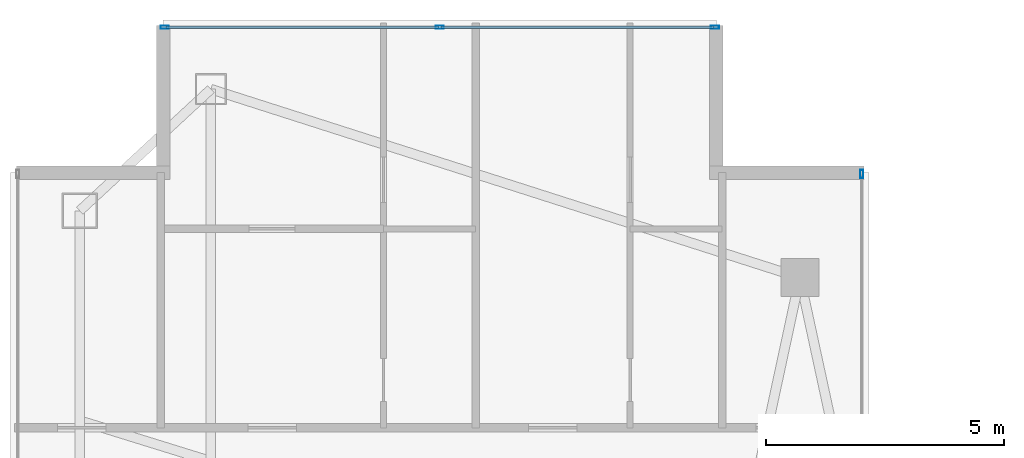
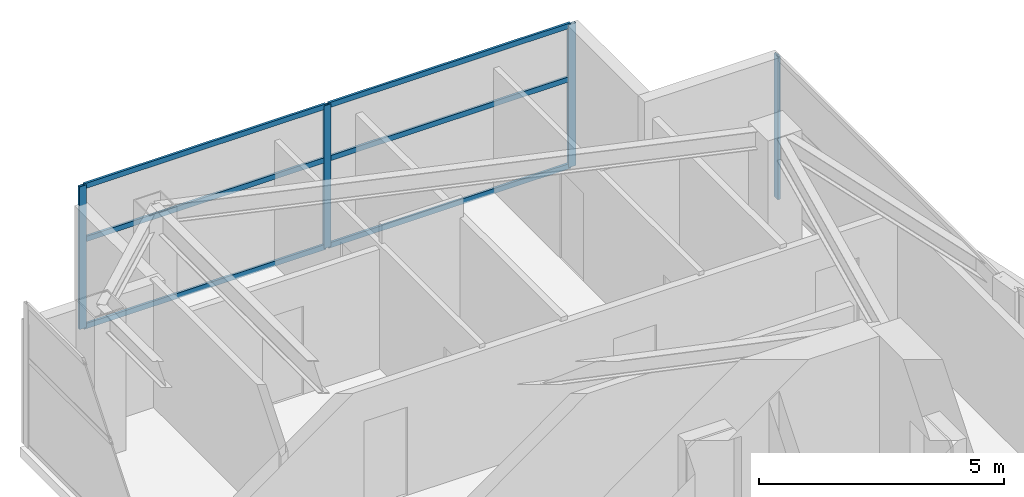
# One storey, part 21 of 29: 10 members, 2 elements without a shape of their own.
"""IFC4 building model written with IfcOpenShell, lengths in metres."""

from ifc_helpers import new_model, si_unit, direction, frame, origin, origin_2d, place, context, subcontext, project, spatial, hollow_rectangle, extrude, material, layer, layer_set, material_profile, profile_set, type_object, element, aggregate, save


model = new_model("IFC4")

# Units and contexts
model_context = context("Model", 3, precision=1e-05, world=origin(), true_north=direction((0.0, 1.0)))
body_context = subcontext(model_context, "Body", "Model", "MODEL_VIEW")
ifc_project = project(units=[si_unit("LENGTHUNIT", "METRE"), si_unit("AREAUNIT", "SQUARE_METRE"), si_unit("VOLUMEUNIT", "CUBIC_METRE"), si_unit("PLANEANGLEUNIT", "RADIAN"), si_unit("MASSUNIT", "GRAM", prefix="KILO")], contexts=[model_context])

# Site, building, storey
site_placement = place(None, origin())
site = spatial("IfcSite", under=ifc_project, at=site_placement, CompositionType="ELEMENT")
building_placement = place(site_placement, origin())
building = spatial("IfcBuilding", under=site, at=building_placement, Name="Calvorn Quay Hotel", CompositionType="ELEMENT")
storey_placement = place(building_placement, frame((0.0, 0.0, 255.199951171875)))
storey = spatial("IfcBuildingStorey", under=building, at=storey_placement, Name="L63", CompositionType="ELEMENT", Elevation=255.199951171875)

# Curtain wall, member
ifc_material_1 = material(Name="Champagne Bronze Anodised Aluminium and Low-E Glass", Category="aluminium")
ifc_layer = layer(ifc_material_1, 0.219970703125)
ifc_layer_set = layer_set([ifc_layer], Name="CW-SYS-Z4")
curtain_wall_type = type_object("IfcCurtainWallType", Name="CW-SYS-Z4", PredefinedType="NOTDEFINED", material=ifc_layer_set)
curtain_wall_1_placement = place(storey_placement, origin())
curtain_wall_1 = element("IfcCurtainWall", 1, at=curtain_wall_1_placement, inside=storey, type_object=curtain_wall_type, Name="Inner Court Curtain Wall L63-IC2", PredefinedType="NOTDEFINED")
ifc_material_2 = material(Name="Champagne Bronze Anodised Aluminium 6063-T6", Category="aluminium")
ifc_material_profile_1 = material_profile(ifc_material_2, hollow_rectangle(XDim=0.06494140625, YDim=0.169921875, WallThickness=0.00341796875, at=origin_2d()), Name="ALU-M170x65x3.5")
ifc_profile_set_1 = profile_set([ifc_material_profile_1], Name="Champagne Bronze Anodised Aluminium 6063-T6")
member_type_1 = type_object("IfcMemberType", Name="CW-SYS-Z4-MUL", PredefinedType="MULLION", material=ifc_profile_set_1)
member_1_placement = place(storey_placement, frame((17.85009765625, 47.77001953125, 0.0), z_axis=(0.0, 0.0, 1.0), x_axis=(-1.0, 0.0, 0.0)))
member_1 = element("IfcMember", 2, at=member_1_placement, type_object=member_type_1, Name="CW-L63-IC2 mullion 2", PredefinedType="MULLION", context=body_context, shape_type="SweptSolid", body=[
    extrude(hollow_rectangle(XDim=0.06494140625, YDim=0.169921875, WallThickness=0.00341796875, at=origin_2d()), origin(), (0.0, 0.0, 1.0), 3.56005859375),
])
aggregate(curtain_wall_1, [member_1])

# Curtain wall, members
curtain_wall_2_placement = place(storey_placement, origin())
curtain_wall_2 = element("IfcCurtainWall", 3, at=curtain_wall_2_placement, inside=storey, type_object=curtain_wall_type, Name="Inner Court Curtain Wall L63-N1", PredefinedType="NOTDEFINED")
member_2_placement = place(storey_placement, frame((14.77001953125, 50.85009765625, 0.0), z_axis=(0.0, 0.0, 1.0), x_axis=(0.0, -1.0, 0.0)))
member_2 = element("IfcMember", 4, at=member_2_placement, type_object=member_type_1, Name="CW-L63-N1 mullion 1", PredefinedType="MULLION", context=body_context, shape_type="SweptSolid", body=[
    extrude(hollow_rectangle(XDim=0.06494140625, YDim=0.169921875, WallThickness=0.00341796875, at=origin_2d()), origin(), (0.0, 0.0, 1.0), 3.56005859375),
])
member_3_placement = place(storey_placement, frame((9.0, 50.85009765625, 0.0), z_axis=(0.0, 0.0, 1.0), x_axis=(0.0, -1.0, 0.0)))
member_3 = element("IfcMember", 5, at=member_3_placement, type_object=member_type_1, Name="CW-L63-N1 mullion 2", PredefinedType="MULLION", context=body_context, shape_type="SweptSolid", body=[
    extrude(hollow_rectangle(XDim=0.06494140625, YDim=0.169921875, WallThickness=0.00341796875, at=origin_2d()), origin(), (0.0, 0.0, 1.0), 3.56005859375),
])
member_4_placement = place(storey_placement, frame((3.22998046875, 50.85009765625, 0.0), z_axis=(0.0, 0.0, 1.0), x_axis=(0.0, -1.0, 0.0)))
member_4 = element("IfcMember", 6, at=member_4_placement, type_object=member_type_1, Name="CW-L63-N1 mullion 3", PredefinedType="MULLION", context=body_context, shape_type="SweptSolid", body=[
    extrude(hollow_rectangle(XDim=0.06494140625, YDim=0.169921875, WallThickness=0.00341796875, at=origin_2d()), origin(), (0.0, 0.0, 1.0), 3.56005859375),
])
ifc_material_3 = material(Name="Champagne Bronze Anodised Aluminium 6063-T6", Category="aluminium")
ifc_material_profile_2 = material_profile(ifc_material_3, hollow_rectangle(XDim=0.054931640625, YDim=0.1298828125, WallThickness=0.003173828125, at=origin_2d()), Name="ALU-T130x55x3.2")
ifc_profile_set_2 = profile_set([ifc_material_profile_2], Name="Champagne Bronze Anodised Aluminium 6063-T6")
member_type_2 = type_object("IfcMemberType", Name="CW-SYS-Z4-TRN", PredefinedType="USERDEFINED", material=ifc_profile_set_2)
member_5_placement = place(storey_placement, frame((14.739990234375, 50.85009765625, 0.030029296875), z_axis=(-1.0, 0.0, 0.0), x_axis=(0.0, -1.0, 0.0)))
member_5 = element("IfcMember", 7, at=member_5_placement, type_object=member_type_2, Name="CW-L63-N1 transom 1.1", ObjectType="TRANSOM", PredefinedType="USERDEFINED", context=body_context, shape_type="SweptSolid", body=[
    extrude(hollow_rectangle(XDim=0.054931640625, YDim=0.1298828125, WallThickness=0.003173828125, at=origin_2d()), origin(), (0.0, 0.0, 1.0), 5.7099609375),
])
member_6_placement = place(storey_placement, frame((14.739990234375, 50.85009765625, 2.199951171875), z_axis=(-1.0, 0.0, 0.0), x_axis=(0.0, -1.0, 0.0)))
member_6 = element("IfcMember", 8, at=member_6_placement, type_object=member_type_2, Name="CW-L63-N1 transom 1.2", ObjectType="TRANSOM", PredefinedType="USERDEFINED", context=body_context, shape_type="SweptSolid", body=[
    extrude(hollow_rectangle(XDim=0.054931640625, YDim=0.1298828125, WallThickness=0.003173828125, at=origin_2d()), origin(), (0.0, 0.0, 1.0), 5.7099609375),
])
member_7_placement = place(storey_placement, frame((14.739990234375, 50.85009765625, 3.530029296875), z_axis=(-1.0, 0.0, 0.0), x_axis=(0.0, -1.0, 0.0)))
member_7 = element("IfcMember", 9, at=member_7_placement, type_object=member_type_2, Name="CW-L63-N1 transom 1.3", ObjectType="TRANSOM", PredefinedType="USERDEFINED", context=body_context, shape_type="SweptSolid", body=[
    extrude(hollow_rectangle(XDim=0.054931640625, YDim=0.1298828125, WallThickness=0.003173828125, at=origin_2d()), origin(), (0.0, 0.0, 1.0), 5.7099609375),
])
member_8_placement = place(storey_placement, frame((8.969970703125, 50.85009765625, 0.030029296875), z_axis=(-1.0, 0.0, 0.0), x_axis=(0.0, -1.0, 0.0)))
member_8 = element("IfcMember", 10, at=member_8_placement, type_object=member_type_2, Name="CW-L63-N1 transom 2.1", ObjectType="TRANSOM", PredefinedType="USERDEFINED", context=body_context, shape_type="SweptSolid", body=[
    extrude(hollow_rectangle(XDim=0.054931640625, YDim=0.1298828125, WallThickness=0.003173828125, at=origin_2d()), origin(), (0.0, 0.0, 1.0), 5.7099609375),
])
member_9_placement = place(storey_placement, frame((8.969970703125, 50.85009765625, 2.199951171875), z_axis=(-1.0, 0.0, 0.0), x_axis=(0.0, -1.0, 0.0)))
member_9 = element("IfcMember", 11, at=member_9_placement, type_object=member_type_2, Name="CW-L63-N1 transom 2.2", ObjectType="TRANSOM", PredefinedType="USERDEFINED", context=body_context, shape_type="SweptSolid", body=[
    extrude(hollow_rectangle(XDim=0.054931640625, YDim=0.1298828125, WallThickness=0.003173828125, at=origin_2d()), origin(), (0.0, 0.0, 1.0), 5.7099609375),
])
member_10_placement = place(storey_placement, frame((8.969970703125, 50.85009765625, 3.530029296875), z_axis=(-1.0, 0.0, 0.0), x_axis=(0.0, -1.0, 0.0)))
member_10 = element("IfcMember", 12, at=member_10_placement, type_object=member_type_2, Name="CW-L63-N1 transom 2.3", ObjectType="TRANSOM", PredefinedType="USERDEFINED", context=body_context, shape_type="SweptSolid", body=[
    extrude(hollow_rectangle(XDim=0.054931640625, YDim=0.1298828125, WallThickness=0.003173828125, at=origin_2d()), origin(), (0.0, 0.0, 1.0), 5.7099609375),
])
aggregate(curtain_wall_2, [member_2, member_3, member_4, member_5, member_6, member_7, member_8, member_9, member_10])

save(model, "model.ifc")
